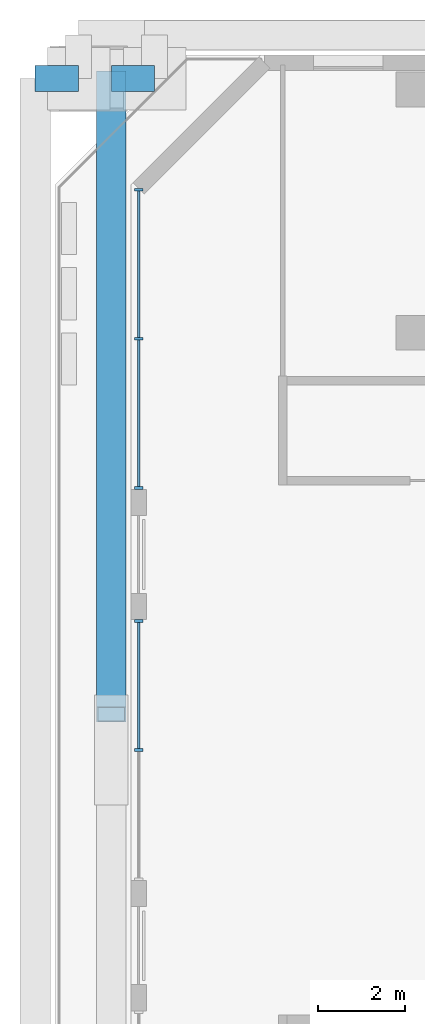
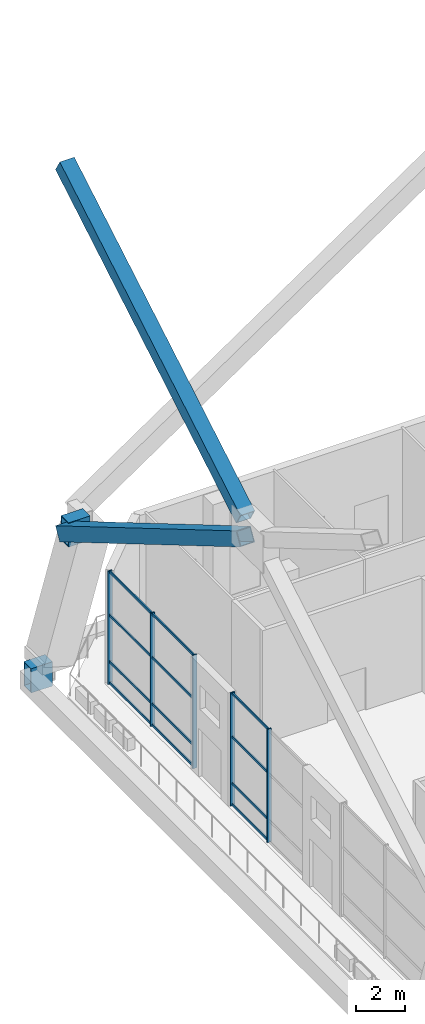
# One storey, part 4 of 20: 19 members, 2 beams, 2 elements without a shape of their own.
"""IFC4 building model written with IfcOpenShell, lengths in metres."""

from ifc_helpers import new_model, si_unit, direction, frame, origin, origin_2d, place, context, subcontext, project, spatial, rectangle, hollow_rectangle, extrude, material, material_profile, profile_set, type_object, element, aggregate, save


model = new_model("IFC4")

# Units and contexts
model_context = context("Model", 3, precision=1e-05, world=origin(), true_north=direction((0.0, 1.0)))
body_context = subcontext(model_context, "Body", "Model", "MODEL_VIEW")
ifc_project = project(units=[si_unit("LENGTHUNIT", "METRE"), si_unit("AREAUNIT", "SQUARE_METRE"), si_unit("VOLUMEUNIT", "CUBIC_METRE"), si_unit("PLANEANGLEUNIT", "RADIAN"), si_unit("MASSUNIT", "GRAM", prefix="KILO")], contexts=[model_context])

# Site, building, storey
site_placement = place(None, origin())
site = spatial("IfcSite", under=ifc_project, at=site_placement, CompositionType="ELEMENT")
building_placement = place(site_placement, origin())
building = spatial("IfcBuilding", under=site, at=building_placement, Name="Tuart Gate Housing", CompositionType="ELEMENT")
storey_placement = place(building_placement, frame((0.0, 0.0, 38.10009765625)))
storey = spatial("IfcBuildingStorey", under=building, at=storey_placement, Name="L10", CompositionType="ELEMENT", Elevation=38.10009765625)

# Beams
ifc_material_1 = material(Name="Steel Grade 350", Category="steel")
ifc_material_profile_1 = material_profile(ifc_material_1, hollow_rectangle(XDim=0.60009765625, YDim=1.199951171875, WallThickness=0.0400390625, at=origin_2d()), Name="BOX 1200x600x40")
ifc_profile_set_1 = profile_set([ifc_material_profile_1], Name="Steel Grade 350")
beam_type = type_object("IfcBeamType", Name="Brace shoe BOX 1200x600x40", PredefinedType="BEAM", material=ifc_profile_set_1)
for number, where, z_axis, x_axis, name in (
    (1, (20.300048828125, 85.449951171875, -0.400146484375), (-1.0, 0.0, 0.0), (0.0, -1.0, 0.0), "Mega tie beam A node 1 west shoe 1 L10"),
    (2, (22.050048828125, 85.449951171875, 6.199951171875), (-1.0, 0.0, 0.0), (0.0, -1.0, 0.0), "Mega brace shoe A zone 2 west cross 2"),
):
    element("IfcBeam", number, at=place(storey_placement, frame(where, z_axis=z_axis, x_axis=x_axis)), inside=storey, type_object=beam_type, Name=name, PredefinedType="BEAM", context=body_context, shape_type="SweptSolid", body=[
        extrude(hollow_rectangle(XDim=0.60009765625, YDim=1.199951171875, WallThickness=0.0400390625, at=origin_2d()), origin(), (0.0, 0.0, 1.0), 1.0),
    ])

# Members
ifc_material_2 = material(Name="Steel Grade 350", Category="steel")
ifc_material_profile_2 = material_profile(ifc_material_2, hollow_rectangle(XDim=0.679931640625, YDim=0.679931640625, WallThickness=0.033935546875, at=origin_2d()), Name="BOX 680x680x34")
ifc_profile_set_2 = profile_set([ifc_material_profile_2], Name="Steel Grade 350")
member_type_1 = type_object("IfcMemberType", Name="Mega brace BOX 680x680x34", PredefinedType="BRACE", material=ifc_profile_set_2)
for number, where, z_axis, x_axis, name in (
    (3, (21.050048828125, 70.818603515625, 15.781982421875), (0.0, 0.861644676374, 0.507512021214), (-1.0, 0.0, 0.0), "Mega brace A zone 2 west cross 1 b"),
    (4, (21.050048828125, 85.449951171875, 6.199951171875), (0.0, -0.861644676374, 0.507512021214), (1.0, 0.0, 0.0), "Mega brace A zone 2 west cross 2 a"),
):
    element("IfcMember", number, at=place(storey_placement, frame(where, z_axis=z_axis, x_axis=x_axis)), inside=storey, type_object=member_type_1, Name=name, PredefinedType="BRACE", context=body_context, shape_type="SweptSolid", body=[
        extrude(hollow_rectangle(XDim=0.679931640625, YDim=0.679931640625, WallThickness=0.033935546875, at=origin_2d()), origin(), (0.0, 0.0, 1.0), 16.980712890625),
    ])

# Curtain wall, members
ifc_material_3 = material(Name="Aluminium and clear glass", Category="aluminium")
curtain_wall_type = type_object("IfcCurtainWallType", Name="Sky garden front glazing", PredefinedType="USERDEFINED", material=ifc_material_3)
curtain_wall_1_placement = place(storey_placement, origin())
curtain_wall_1 = element("IfcCurtainWall", 5, at=curtain_wall_1_placement, inside=storey, type_object=curtain_wall_type, Name="Sky garden front glazing A-W L10", ObjectType="SKY GARDEN FRONT GLAZING", PredefinedType="USERDEFINED")
ifc_material_4 = material(Name="Anodised aluminium", Category="aluminium")
ifc_material_profile_3 = material_profile(ifc_material_4, rectangle(XDim=0.06005859375, YDim=0.199951171875, at=origin_2d()), Name="60x200")
ifc_profile_set_3 = profile_set([ifc_material_profile_3], Name="Anodised aluminium")
member_type_2 = type_object("IfcMemberType", Name="Mullion 60 x 200", PredefinedType="MULLION", material=ifc_profile_set_3)
member_1_placement = place(storey_placement, frame((21.679931640625, 82.8955078125, 0.0), z_axis=(0.0, 0.0, 1.0), x_axis=(0.0, -1.0, 0.0)))
member_1 = element("IfcMember", 6, at=member_1_placement, type_object=member_type_2, Name="CW4 mullion 1", PredefinedType="MULLION", context=body_context, shape_type="SweptSolid", body=[
    extrude(rectangle(XDim=0.06005859375, YDim=0.199951171875, at=origin_2d()), origin(), (0.0, 0.0, 1.0), 5.599853515625),
])
member_2_placement = place(storey_placement, frame((21.679931640625, 79.462646484375, 0.0), z_axis=(0.0, 0.0, 1.0), x_axis=(0.0, -1.0, 0.0)))
member_2 = element("IfcMember", 7, at=member_2_placement, type_object=member_type_2, Name="CW4 mullion 2", PredefinedType="MULLION", context=body_context, shape_type="SweptSolid", body=[
    extrude(rectangle(XDim=0.06005859375, YDim=0.199951171875, at=origin_2d()), origin(), (0.0, 0.0, 1.0), 5.599853515625),
])
member_3_placement = place(storey_placement, frame((21.679931640625, 76.030029296875, 0.0), z_axis=(0.0, 0.0, 1.0), x_axis=(0.0, -1.0, 0.0)))
member_3 = element("IfcMember", 8, at=member_3_placement, type_object=member_type_2, Name="CW4 mullion 3", PredefinedType="MULLION", context=body_context, shape_type="SweptSolid", body=[
    extrude(rectangle(XDim=0.06005859375, YDim=0.199951171875, at=origin_2d()), origin(), (0.0, 0.0, 1.0), 5.599853515625),
])

curtain_wall_2_placement = place(storey_placement, origin())
curtain_wall_2 = element("IfcCurtainWall", 9, at=curtain_wall_2_placement, inside=storey, type_object=curtain_wall_type, Name="Sky garden front glazing A-W L10", ObjectType="SKY GARDEN FRONT GLAZING", PredefinedType="USERDEFINED")
member_4_placement = place(storey_placement, frame((21.679931640625, 72.969970703125, 0.0), z_axis=(0.0, 0.0, 1.0), x_axis=(0.0, -1.0, 0.0)))
member_4 = element("IfcMember", 10, at=member_4_placement, type_object=member_type_2, Name="CW4 mullion 1", PredefinedType="MULLION", context=body_context, shape_type="SweptSolid", body=[
    extrude(rectangle(XDim=0.06005859375, YDim=0.199951171875, at=origin_2d()), origin(), (0.0, 0.0, 1.0), 5.599853515625),
])
member_5_placement = place(storey_placement, frame((21.679931640625, 70.0, 0.0), z_axis=(0.0, 0.0, 1.0), x_axis=(0.0, -1.0, 0.0)))
member_5 = element("IfcMember", 11, at=member_5_placement, type_object=member_type_2, Name="CW4 mullion 2", PredefinedType="MULLION", context=body_context, shape_type="SweptSolid", body=[
    extrude(rectangle(XDim=0.06005859375, YDim=0.199951171875, at=origin_2d()), origin(), (0.0, 0.0, 1.0), 5.599853515625),
])

# Member
ifc_material_5 = material(Name="Anodised aluminium", Category="aluminium")
ifc_material_profile_4 = material_profile(ifc_material_5, rectangle(XDim=0.06005859375, YDim=0.1201171875, at=origin_2d()), Name="60x120")
ifc_profile_set_4 = profile_set([ifc_material_profile_4], Name="Anodised aluminium")
member_type_3 = type_object("IfcMemberType", Name="Transom 60 x 120", PredefinedType="USERDEFINED", material=ifc_profile_set_4)
member_6_placement = place(storey_placement, frame((21.679931640625, 82.865478515625, 0.059814453125), z_axis=(0.0, -1.0, 0.0), x_axis=(1.0, 0.0, 0.0)))
member_6 = element("IfcMember", 12, at=member_6_placement, type_object=member_type_3, Name="CW4 transom 1.1", ObjectType="TRANSOM", PredefinedType="USERDEFINED", context=body_context, shape_type="SweptSolid", body=[
    extrude(rectangle(XDim=0.06005859375, YDim=0.1201171875, at=origin_2d()), origin(), (0.0, 0.0, 1.0), 3.372802734375),
])

member_7_placement = place(storey_placement, frame((21.679931640625, 82.865478515625, 1.099853515625), z_axis=(0.0, -1.0, 0.0), x_axis=(1.0, 0.0, 0.0)))
member_7 = element("IfcMember", 13, at=member_7_placement, type_object=member_type_3, Name="CW4 transom 1.2", ObjectType="TRANSOM", PredefinedType="USERDEFINED", context=body_context, shape_type="SweptSolid", body=[
    extrude(rectangle(XDim=0.06005859375, YDim=0.1201171875, at=origin_2d()), origin(), (0.0, 0.0, 1.0), 3.372802734375),
])

member_8_placement = place(storey_placement, frame((21.679931640625, 82.865478515625, 3.39990234375), z_axis=(0.0, -1.0, 0.0), x_axis=(1.0, 0.0, 0.0)))
member_8 = element("IfcMember", 14, at=member_8_placement, type_object=member_type_3, Name="CW4 transom 1.3", ObjectType="TRANSOM", PredefinedType="USERDEFINED", context=body_context, shape_type="SweptSolid", body=[
    extrude(rectangle(XDim=0.06005859375, YDim=0.1201171875, at=origin_2d()), origin(), (0.0, 0.0, 1.0), 3.372802734375),
])

member_9_placement = place(storey_placement, frame((21.679931640625, 82.865478515625, 5.539794921875), z_axis=(0.0, -1.0, 0.0), x_axis=(1.0, 0.0, 0.0)))
member_9 = element("IfcMember", 15, at=member_9_placement, type_object=member_type_3, Name="CW4 transom 1.4", ObjectType="TRANSOM", PredefinedType="USERDEFINED", context=body_context, shape_type="SweptSolid", body=[
    extrude(rectangle(XDim=0.06005859375, YDim=0.1201171875, at=origin_2d()), origin(), (0.0, 0.0, 1.0), 3.372802734375),
])

member_10_placement = place(storey_placement, frame((21.679931640625, 79.4326171875, 0.059814453125), z_axis=(0.0, -1.0, 0.0), x_axis=(1.0, 0.0, 0.0)))
member_10 = element("IfcMember", 16, at=member_10_placement, type_object=member_type_3, Name="CW4 transom 2.1", ObjectType="TRANSOM", PredefinedType="USERDEFINED", context=body_context, shape_type="SweptSolid", body=[
    extrude(rectangle(XDim=0.06005859375, YDim=0.1201171875, at=origin_2d()), origin(), (0.0, 0.0, 1.0), 3.37255859375),
])

member_11_placement = place(storey_placement, frame((21.679931640625, 79.4326171875, 1.099853515625), z_axis=(0.0, -1.0, 0.0), x_axis=(1.0, 0.0, 0.0)))
member_11 = element("IfcMember", 17, at=member_11_placement, type_object=member_type_3, Name="CW4 transom 2.2", ObjectType="TRANSOM", PredefinedType="USERDEFINED", context=body_context, shape_type="SweptSolid", body=[
    extrude(rectangle(XDim=0.06005859375, YDim=0.1201171875, at=origin_2d()), origin(), (0.0, 0.0, 1.0), 3.37255859375),
])

member_12_placement = place(storey_placement, frame((21.679931640625, 79.4326171875, 3.39990234375), z_axis=(0.0, -1.0, 0.0), x_axis=(1.0, 0.0, 0.0)))
member_12 = element("IfcMember", 18, at=member_12_placement, type_object=member_type_3, Name="CW4 transom 2.3", ObjectType="TRANSOM", PredefinedType="USERDEFINED", context=body_context, shape_type="SweptSolid", body=[
    extrude(rectangle(XDim=0.06005859375, YDim=0.1201171875, at=origin_2d()), origin(), (0.0, 0.0, 1.0), 3.37255859375),
])

member_13_placement = place(storey_placement, frame((21.679931640625, 79.4326171875, 5.539794921875), z_axis=(0.0, -1.0, 0.0), x_axis=(1.0, 0.0, 0.0)))
member_13 = element("IfcMember", 19, at=member_13_placement, type_object=member_type_3, Name="CW4 transom 2.4", ObjectType="TRANSOM", PredefinedType="USERDEFINED", context=body_context, shape_type="SweptSolid", body=[
    extrude(rectangle(XDim=0.06005859375, YDim=0.1201171875, at=origin_2d()), origin(), (0.0, 0.0, 1.0), 3.37255859375),
])

aggregate(curtain_wall_1, [member_1, member_2, member_3, member_6, member_7, member_8, member_9, member_10, member_11, member_12, member_13])

member_14_placement = place(storey_placement, frame((21.679931640625, 72.93994140625, 0.059814453125), z_axis=(0.0, -1.0, 0.0), x_axis=(1.0, 0.0, 0.0)))
member_14 = element("IfcMember", 20, at=member_14_placement, type_object=member_type_3, Name="CW4 transom 1.1", ObjectType="TRANSOM", PredefinedType="USERDEFINED", context=body_context, shape_type="SweptSolid", body=[
    extrude(rectangle(XDim=0.06005859375, YDim=0.1201171875, at=origin_2d()), origin(), (0.0, 0.0, 1.0), 2.909912109375),
])

member_15_placement = place(storey_placement, frame((21.679931640625, 72.93994140625, 1.099853515625), z_axis=(0.0, -1.0, 0.0), x_axis=(1.0, 0.0, 0.0)))
member_15 = element("IfcMember", 21, at=member_15_placement, type_object=member_type_3, Name="CW4 transom 1.2", ObjectType="TRANSOM", PredefinedType="USERDEFINED", context=body_context, shape_type="SweptSolid", body=[
    extrude(rectangle(XDim=0.06005859375, YDim=0.1201171875, at=origin_2d()), origin(), (0.0, 0.0, 1.0), 2.909912109375),
])

member_16_placement = place(storey_placement, frame((21.679931640625, 72.93994140625, 3.39990234375), z_axis=(0.0, -1.0, 0.0), x_axis=(1.0, 0.0, 0.0)))
member_16 = element("IfcMember", 22, at=member_16_placement, type_object=member_type_3, Name="CW4 transom 1.3", ObjectType="TRANSOM", PredefinedType="USERDEFINED", context=body_context, shape_type="SweptSolid", body=[
    extrude(rectangle(XDim=0.06005859375, YDim=0.1201171875, at=origin_2d()), origin(), (0.0, 0.0, 1.0), 2.909912109375),
])

member_17_placement = place(storey_placement, frame((21.679931640625, 72.93994140625, 5.539794921875), z_axis=(0.0, -1.0, 0.0), x_axis=(1.0, 0.0, 0.0)))
member_17 = element("IfcMember", 23, at=member_17_placement, type_object=member_type_3, Name="CW4 transom 1.4", ObjectType="TRANSOM", PredefinedType="USERDEFINED", context=body_context, shape_type="SweptSolid", body=[
    extrude(rectangle(XDim=0.06005859375, YDim=0.1201171875, at=origin_2d()), origin(), (0.0, 0.0, 1.0), 2.909912109375),
])

aggregate(curtain_wall_2, [member_4, member_5, member_14, member_15, member_16, member_17])

save(model, "model.ifc")
